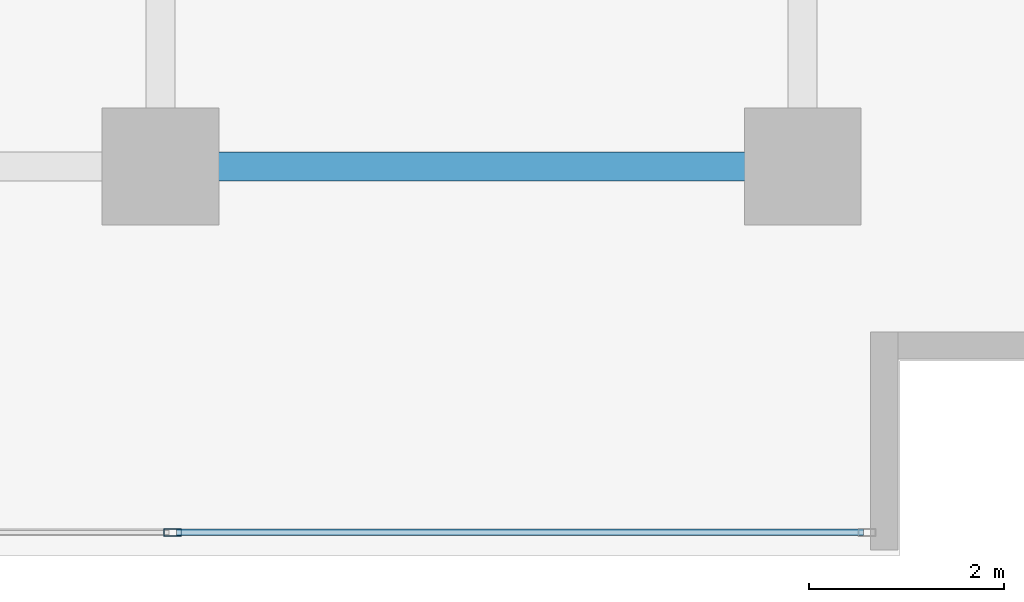
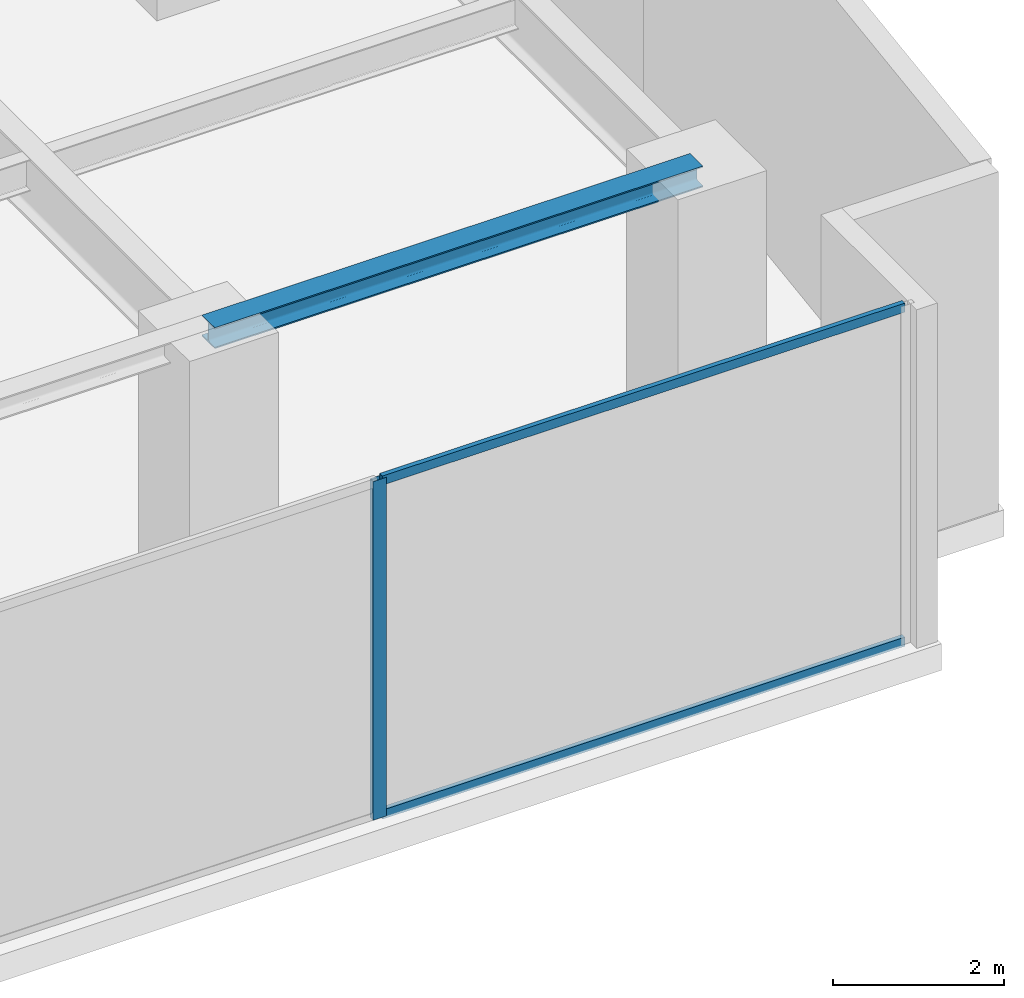
# One storey, part 16 of 36: 3 members, 1 beam, 1 element without a shape of its own.
"""IFC4 building model written with IfcOpenShell, lengths in metres."""

from ifc_helpers import new_model, si_unit, direction, frame, origin, origin_with_axes, origin_2d, place, context, subcontext, project, spatial, hollow_rectangle, i_section, extrude, source, transform, mapped, material, layer, layer_set, material_profile, profile_set, type_object, element, aggregate, save


model = new_model("IFC4")

# Units and contexts
model_context = context("Model", 3, precision=1e-05, world=origin(), true_north=direction((0.0, 1.0)))
body_context = subcontext(model_context, "Body", "Model", "MODEL_VIEW")
ifc_project = project(units=[si_unit("LENGTHUNIT", "METRE"), si_unit("AREAUNIT", "SQUARE_METRE"), si_unit("VOLUMEUNIT", "CUBIC_METRE"), si_unit("PLANEANGLEUNIT", "RADIAN"), si_unit("MASSUNIT", "GRAM", prefix="KILO")], contexts=[model_context])

# Site, building, storey
site_placement = place(None, origin())
site = spatial("IfcSite", under=ifc_project, at=site_placement, CompositionType="ELEMENT")
building_placement = place(site_placement, origin())
building = spatial("IfcBuilding", under=site, at=building_placement, Name="Kolvaren Waterfront Exchange", CompositionType="ELEMENT")
storey_placement = place(building_placement, frame((0.0, 0.0, 82.800048828125)))
storey = spatial("IfcBuildingStorey", under=building, at=storey_placement, Name="L21", CompositionType="ELEMENT", Elevation=82.800048828125)

# Beam
ifc_material_1 = material(Name="Steel S355", Category="steel")
ifc_material_profile_1 = material_profile(ifc_material_1, i_section(OverallWidth=0.300048828125, OverallDepth=0.300048828125, WebThickness=0.010986328125, FlangeThickness=0.01904296875, FilletRadius=0.027099609375, at=origin_2d()), Name="HEB300")
ifc_profile_set_1 = profile_set([ifc_material_profile_1], Name="Steel S355")
beam_type = type_object("IfcBeamType", Name="STR-BM-HEB300", PredefinedType="SPANDREL", material=ifc_profile_set_1)
beam_placement = place(storey_placement, frame((53.800048828125, 5.199951171875, 4.68994140625), z_axis=(1.0, 0.0, 0.0), x_axis=(0.0, 1.0, 0.0)))
element("IfcBeam", 1, at=beam_placement, inside=storey, type_object=beam_type, Name="L21 east-arm spandrel S5", PredefinedType="SPANDREL", context=body_context, shape_type="SweptSolid", body=[
    extrude(i_section(OverallWidth=0.300048828125, OverallDepth=0.300048828125, WebThickness=0.010986328125, FlangeThickness=0.01904296875, FilletRadius=0.027099609375, at=origin_2d()), origin(), (0.0, 0.0, 1.0), 6.599853515625),
])

# Curtain wall, members
ifc_material_2 = material(Name="Anodised dark bronze spandrel aluminium", Category="aluminium")
ifc_layer = layer(ifc_material_2, 0.219970703125, Name="Anodised dark bronze spandrel aluminium")
ifc_layer_set = layer_set([ifc_layer], Name="Anodised dark bronze spandrel aluminium")
curtain_wall_type = type_object("IfcCurtainWallType", Name="ARC-CW-SYS6", PredefinedType="USERDEFINED", material=ifc_layer_set)
curtain_wall_placement = place(storey_placement, origin())
curtain_wall = element("IfcCurtainWall", 2, at=curtain_wall_placement, inside=storey, type_object=curtain_wall_type, Name="L21 stick curtain wall CW6 (CW-L21-S)", ObjectType="STICK CURTAIN WALL", PredefinedType="USERDEFINED")
ifc_material_3 = material(Name="Anodised bronze aluminium 6063-T6", Category="aluminium")
ifc_material_profile_2 = material_profile(ifc_material_3, hollow_rectangle(XDim=0.074951171875, YDim=0.179931640625, WallThickness=0.00439453125, at=origin_2d()), Name="ALU-MUL-180x75x4.5")
ifc_profile_set_2 = profile_set([ifc_material_profile_2], Name="Anodised bronze aluminium 6063-T6")
member_type_1 = type_object("IfcMemberType", Name="ARC-CWM-180", PredefinedType="MULLION", material=ifc_profile_set_2)
shared_shape_1 = source(origin_with_axes(), body_context, "Body", "SweptSolid", [
    extrude(hollow_rectangle(XDim=0.074951171875, YDim=0.179931640625, WallThickness=0.00439453125, at=origin_2d()), origin(), (0.0, 0.0, 1.0), 4.83984375),
])
member_1_placement = place(storey_placement, frame((53.925048828125, 1.43994140625, 0.0), z_axis=(0.0, 0.0, 1.0), x_axis=(0.0, 1.0, 0.0)))
member_1 = element("IfcMember", 3, at=member_1_placement, type_object=member_type_1, Name="CW6 mullion 8", PredefinedType="MULLION", context=body_context, shape_type="MappedRepresentation", body=[
    mapped(shared_shape_1, transform((0.0, 0.0, 0.0), x_axis=(1.0, 0.0, 0.0), y_axis=(0.0, 1.0, 0.0), z_axis=(0.0, 0.0, 1.0), scale=1.0)),
])
ifc_material_profile_3 = material_profile(ifc_material_3, hollow_rectangle(XDim=0.06494140625, YDim=0.1298828125, WallThickness=0.00390625, at=origin_2d()), Name="ALU-TRN-130x65x4")
ifc_profile_set_3 = profile_set([ifc_material_profile_3], Name="Anodised bronze aluminium 6063-T6")
member_type_2 = type_object("IfcMemberType", Name="ARC-CWT-130", PredefinedType="USERDEFINED", material=ifc_profile_set_3)
shared_shape_2 = source(origin_with_axes(), body_context, "Body", "SweptSolid", [
    extrude(hollow_rectangle(XDim=0.06494140625, YDim=0.1298828125, WallThickness=0.00390625, at=origin_2d()), origin(), (0.0, 0.0, 1.0), 7.0625),
])
member_2_placement = place(storey_placement, frame((53.96240234375, 1.43994140625, 0.032470703125), z_axis=(1.0, 0.0, 0.0), x_axis=(0.0, 1.0, 0.0)))
member_2 = element("IfcMember", 4, at=member_2_placement, type_object=member_type_2, Name="CW6 transom 8.1", ObjectType="TRANSOM", PredefinedType="USERDEFINED", context=body_context, shape_type="MappedRepresentation", body=[
    mapped(shared_shape_2, transform((0.0, 0.0, 0.0), x_axis=(1.0, 0.0, 0.0), y_axis=(0.0, 1.0, 0.0), z_axis=(0.0, 0.0, 1.0), scale=1.0)),
])
member_3_placement = place(storey_placement, frame((53.96240234375, 1.43994140625, 4.807373046875), z_axis=(1.0, 0.0, 0.0), x_axis=(0.0, 1.0, 0.0)))
member_3 = element("IfcMember", 5, at=member_3_placement, type_object=member_type_2, Name="CW6 transom 8.2", ObjectType="TRANSOM", PredefinedType="USERDEFINED", context=body_context, shape_type="MappedRepresentation", body=[
    mapped(shared_shape_2, transform((0.0, 0.0, 0.0), x_axis=(1.0, 0.0, 0.0), y_axis=(0.0, 1.0, 0.0), z_axis=(0.0, 0.0, 1.0), scale=1.0)),
])
aggregate(curtain_wall, [member_1, member_2, member_3])

save(model, "model.ifc")
